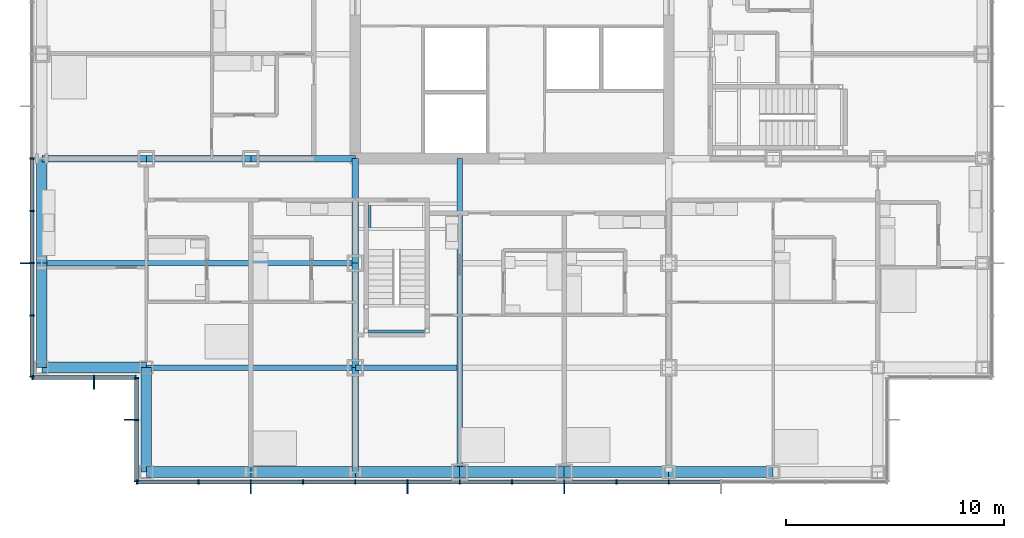
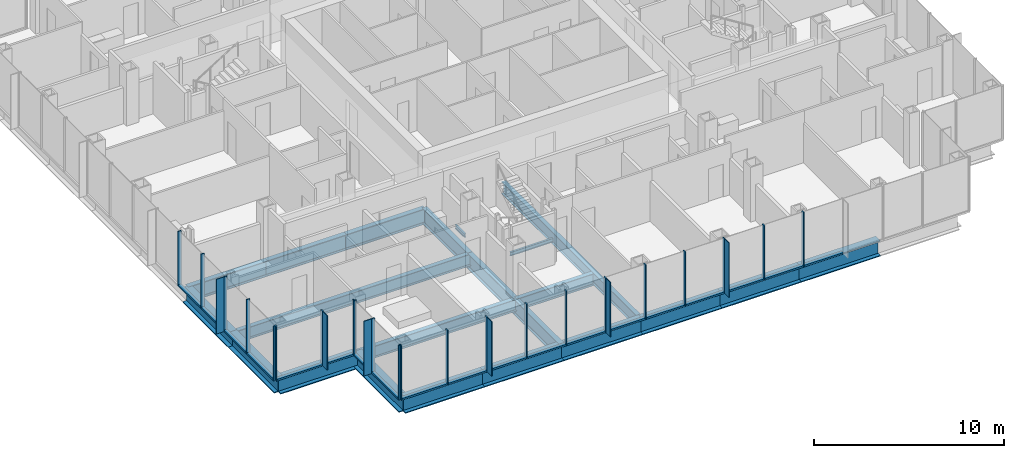
# One storey, part 6 of 21: 47 members, 22 beams, 4 elements without a shape of their own.
"""IFC4 building model written with IfcOpenShell, lengths in metres."""

from ifc_helpers import new_model, si_unit, direction, frame, origin, origin_2d, place, context, subcontext, project, spatial, rectangle, i_section, extrude, material, material_profile, profile_set, type_object, element, aggregate, save


model = new_model("IFC4")

# Units and contexts
model_context = context("Model", 3, precision=1e-05, world=origin(), true_north=direction((0.0, 1.0)))
body_context = subcontext(model_context, "Body", "Model", "MODEL_VIEW")
ifc_project = project(units=[si_unit("LENGTHUNIT", "METRE"), si_unit("AREAUNIT", "SQUARE_METRE"), si_unit("VOLUMEUNIT", "CUBIC_METRE"), si_unit("PLANEANGLEUNIT", "RADIAN"), si_unit("MASSUNIT", "GRAM", prefix="KILO")], contexts=[model_context])

# Site, building, storey
site_placement = place(None, origin())
site = spatial("IfcSite", under=ifc_project, at=site_placement, CompositionType="ELEMENT")
building_placement = place(site_placement, origin())
building = spatial("IfcBuilding", under=site, at=building_placement, Name="Kvirike Care Tower", CompositionType="ELEMENT")
storey_placement = place(building_placement, frame((0.0, 0.0, 44.5)))
storey = spatial("IfcBuildingStorey", under=building, at=storey_placement, Name="L11", CompositionType="ELEMENT", Elevation=44.5)

# Curtain wall, member
ifc_material_1 = material(Name="Anodised aluminium stick system", Category="aluminium")
curtain_wall_type = type_object("IfcCurtainWallType", Name="CW-A STICK CURTAIN WALL", PredefinedType="NOTDEFINED", material=ifc_material_1)
curtain_wall_1_placement = place(storey_placement, origin())
curtain_wall_1 = element("IfcCurtainWall", 1, at=curtain_wall_1_placement, inside=storey, type_object=curtain_wall_type, Name="Curtain wall L11 face 1", PredefinedType="NOTDEFINED")
ifc_material_2 = material(Name="Bronze anodised aluminium fin", Category="aluminium")
ifc_material_profile_1 = material_profile(ifc_material_2, rectangle(XDim=0.050048828125, YDim=0.449951171875, at=origin_2d()), Name="BRONZE FIN 450")
ifc_profile_set_1 = profile_set([ifc_material_profile_1], Name="Bronze anodised aluminium fin")
member_type_1 = type_object("IfcMemberType", Name="BRONZE FIN 450", PredefinedType="USERDEFINED", material=ifc_profile_set_1)
member_1_placement = place(storey_placement, frame((-0.77490234375, 24.0, 0.0), z_axis=(0.0, 0.0, 1.0), x_axis=(0.0, -1.0, 0.0)))
member_1 = element("IfcMember", 2, at=member_1_placement, type_object=member_type_1, Name="Bronze fin L11 face 1.13", ObjectType="FIN", PredefinedType="USERDEFINED", context=body_context, shape_type="SweptSolid", body=[
    extrude(rectangle(XDim=0.050048828125, YDim=0.449951171875, at=origin_2d()), origin(), (0.0, 0.0, 1.0), 3.5),
])

curtain_wall_2_placement = place(storey_placement, origin())
curtain_wall_2 = element("IfcCurtainWall", 3, at=curtain_wall_2_placement, inside=storey, type_object=curtain_wall_type, Name="Curtain wall L11 face 2", PredefinedType="NOTDEFINED")
member_2_placement = place(storey_placement, frame((2.39990234375, 18.425048828125, 0.0), z_axis=(0.0, 0.0, 1.0), x_axis=(1.0, 0.0, 0.0)))
member_2 = element("IfcMember", 4, at=member_2_placement, type_object=member_type_1, Name="Bronze fin L11 face 2.2", ObjectType="FIN", PredefinedType="USERDEFINED", context=body_context, shape_type="SweptSolid", body=[
    extrude(rectangle(XDim=0.050048828125, YDim=0.449951171875, at=origin_2d()), origin(), (0.0, 0.0, 1.0), 3.5),
])

curtain_wall_3_placement = place(storey_placement, origin())
curtain_wall_3 = element("IfcCurtainWall", 5, at=curtain_wall_3_placement, inside=storey, type_object=curtain_wall_type, Name="Curtain wall L11 face 3", PredefinedType="NOTDEFINED")
member_3_placement = place(storey_placement, frame((4.02490234375, 16.800048828125, 0.0), z_axis=(0.0, 0.0, 1.0), x_axis=(0.0, -1.0, 0.0)))
member_3 = element("IfcMember", 6, at=member_3_placement, type_object=member_type_1, Name="Bronze fin L11 face 3.2", ObjectType="FIN", PredefinedType="USERDEFINED", context=body_context, shape_type="SweptSolid", body=[
    extrude(rectangle(XDim=0.050048828125, YDim=0.449951171875, at=origin_2d()), origin(), (0.0, 0.0, 1.0), 3.5),
])

# Curtain wall, members
curtain_wall_4_placement = place(storey_placement, origin())
curtain_wall_4 = element("IfcCurtainWall", 7, at=curtain_wall_4_placement, inside=storey, type_object=curtain_wall_type, Name="Curtain wall L11 face 4", PredefinedType="NOTDEFINED")
member_4_placement = place(storey_placement, frame((9.60009765625, 13.625, 0.0), z_axis=(0.0, 0.0, 1.0), x_axis=(1.0, 0.0, 0.0)))
member_4 = element("IfcMember", 8, at=member_4_placement, type_object=member_type_1, Name="Bronze fin L11 face 4.3", ObjectType="FIN", PredefinedType="USERDEFINED", context=body_context, shape_type="SweptSolid", body=[
    extrude(rectangle(XDim=0.050048828125, YDim=0.449951171875, at=origin_2d()), origin(), (0.0, 0.0, 1.0), 3.5),
])
member_5_placement = place(storey_placement, frame((16.800048828125, 13.625, 0.0), z_axis=(0.0, 0.0, 1.0), x_axis=(1.0, 0.0, 0.0)))
member_5 = element("IfcMember", 9, at=member_5_placement, type_object=member_type_1, Name="Bronze fin L11 face 4.6", ObjectType="FIN", PredefinedType="USERDEFINED", context=body_context, shape_type="SweptSolid", body=[
    extrude(rectangle(XDim=0.050048828125, YDim=0.449951171875, at=origin_2d()), origin(), (0.0, 0.0, 1.0), 3.5),
])
member_6_placement = place(storey_placement, frame((24.0, 13.625, 0.0), z_axis=(0.0, 0.0, 1.0), x_axis=(1.0, 0.0, 0.0)))
member_6 = element("IfcMember", 10, at=member_6_placement, type_object=member_type_1, Name="Bronze fin L11 face 4.9", ObjectType="FIN", PredefinedType="USERDEFINED", context=body_context, shape_type="SweptSolid", body=[
    extrude(rectangle(XDim=0.050048828125, YDim=0.449951171875, at=origin_2d()), origin(), (0.0, 0.0, 1.0), 3.5),
])

# Member
ifc_material_3 = material(Name="Bronze anodised aluminium mullion", Category="aluminium")
ifc_material_profile_2 = material_profile(ifc_material_3, rectangle(XDim=0.06494140625, YDim=0.199951171875, at=origin_2d()), Name="CW-A MULLION 65x200")
ifc_profile_set_2 = profile_set([ifc_material_profile_2], Name="Bronze anodised aluminium mullion")
member_type_2 = type_object("IfcMemberType", Name="CW-A MULLION 65x200", PredefinedType="MULLION", material=ifc_profile_set_2)
member_7_placement = place(storey_placement, frame((-0.449951171875, 28.800048828125, 0.0), z_axis=(0.0, 0.0, 1.0), x_axis=(0.0, -1.0, 0.0)))
member_7 = element("IfcMember", 11, at=member_7_placement, type_object=member_type_2, Name="CW-A mullion L11 face 1.11", PredefinedType="MULLION", context=body_context, shape_type="SweptSolid", body=[
    extrude(rectangle(XDim=0.06494140625, YDim=0.199951171875, at=origin_2d()), origin(), (0.0, 0.0, 1.0), 3.5),
])

member_8_placement = place(storey_placement, frame((-0.449951171875, 26.39990234375, 0.0), z_axis=(0.0, 0.0, 1.0), x_axis=(0.0, -1.0, 0.0)))
member_8 = element("IfcMember", 12, at=member_8_placement, type_object=member_type_2, Name="CW-A mullion L11 face 1.12", PredefinedType="MULLION", context=body_context, shape_type="SweptSolid", body=[
    extrude(rectangle(XDim=0.06494140625, YDim=0.199951171875, at=origin_2d()), origin(), (0.0, 0.0, 1.0), 3.5),
])

member_9_placement = place(storey_placement, frame((-0.449951171875, 24.0, 0.0), z_axis=(0.0, 0.0, 1.0), x_axis=(0.0, -1.0, 0.0)))
member_9 = element("IfcMember", 13, at=member_9_placement, type_object=member_type_2, Name="CW-A mullion L11 face 1.13", PredefinedType="MULLION", context=body_context, shape_type="SweptSolid", body=[
    extrude(rectangle(XDim=0.06494140625, YDim=0.199951171875, at=origin_2d()), origin(), (0.0, 0.0, 1.0), 3.5),
])

member_10_placement = place(storey_placement, frame((-0.449951171875, 21.60009765625, 0.0), z_axis=(0.0, 0.0, 1.0), x_axis=(0.0, -1.0, 0.0)))
member_10 = element("IfcMember", 14, at=member_10_placement, type_object=member_type_2, Name="CW-A mullion L11 face 1.14", PredefinedType="MULLION", context=body_context, shape_type="SweptSolid", body=[
    extrude(rectangle(XDim=0.06494140625, YDim=0.199951171875, at=origin_2d()), origin(), (0.0, 0.0, 1.0), 3.5),
])

member_11_placement = place(storey_placement, frame((-0.449951171875, 18.782470703125, 0.0), z_axis=(0.0, 0.0, 1.0), x_axis=(0.0, -1.0, 0.0)))
member_11 = element("IfcMember", 15, at=member_11_placement, type_object=member_type_2, Name="CW-A mullion L11 face 1.15", PredefinedType="MULLION", context=body_context, shape_type="SweptSolid", body=[
    extrude(rectangle(XDim=0.06494140625, YDim=0.199951171875, at=origin_2d()), origin(), (0.0, 0.0, 1.0), 3.5),
])

member_12_placement = place(storey_placement, frame((-0.41748046875, 18.75, 0.0), z_axis=(0.0, 0.0, 1.0), x_axis=(1.0, 0.0, 0.0)))
member_12 = element("IfcMember", 16, at=member_12_placement, type_object=member_type_2, Name="CW-A mullion L11 face 2.1", PredefinedType="MULLION", context=body_context, shape_type="SweptSolid", body=[
    extrude(rectangle(XDim=0.06494140625, YDim=0.199951171875, at=origin_2d()), origin(), (0.0, 0.0, 1.0), 3.5),
])

member_13_placement = place(storey_placement, frame((2.39990234375, 18.75, 0.0), z_axis=(0.0, 0.0, 1.0), x_axis=(1.0, 0.0, 0.0)))
member_13 = element("IfcMember", 17, at=member_13_placement, type_object=member_type_2, Name="CW-A mullion L11 face 2.2", PredefinedType="MULLION", context=body_context, shape_type="SweptSolid", body=[
    extrude(rectangle(XDim=0.06494140625, YDim=0.199951171875, at=origin_2d()), origin(), (0.0, 0.0, 1.0), 3.5),
])

member_14_placement = place(storey_placement, frame((4.3173828125, 18.75, 0.0), z_axis=(0.0, 0.0, 1.0), x_axis=(1.0, 0.0, 0.0)))
member_14 = element("IfcMember", 18, at=member_14_placement, type_object=member_type_2, Name="CW-A mullion L11 face 2.3", PredefinedType="MULLION", context=body_context, shape_type="SweptSolid", body=[
    extrude(rectangle(XDim=0.06494140625, YDim=0.199951171875, at=origin_2d()), origin(), (0.0, 0.0, 1.0), 3.5),
])

member_15_placement = place(storey_placement, frame((4.35009765625, 18.717529296875, 0.0), z_axis=(0.0, 0.0, 1.0), x_axis=(0.0, -1.0, 0.0)))
member_15 = element("IfcMember", 19, at=member_15_placement, type_object=member_type_2, Name="CW-A mullion L11 face 3.1", PredefinedType="MULLION", context=body_context, shape_type="SweptSolid", body=[
    extrude(rectangle(XDim=0.06494140625, YDim=0.199951171875, at=origin_2d()), origin(), (0.0, 0.0, 1.0), 3.5),
])

member_16_placement = place(storey_placement, frame((4.35009765625, 16.800048828125, 0.0), z_axis=(0.0, 0.0, 1.0), x_axis=(0.0, -1.0, 0.0)))
member_16 = element("IfcMember", 20, at=member_16_placement, type_object=member_type_2, Name="CW-A mullion L11 face 3.2", PredefinedType="MULLION", context=body_context, shape_type="SweptSolid", body=[
    extrude(rectangle(XDim=0.06494140625, YDim=0.199951171875, at=origin_2d()), origin(), (0.0, 0.0, 1.0), 3.5),
])

member_17_placement = place(storey_placement, frame((4.35009765625, 13.982421875, 0.0), z_axis=(0.0, 0.0, 1.0), x_axis=(0.0, -1.0, 0.0)))
member_17 = element("IfcMember", 21, at=member_17_placement, type_object=member_type_2, Name="CW-A mullion L11 face 3.3", PredefinedType="MULLION", context=body_context, shape_type="SweptSolid", body=[
    extrude(rectangle(XDim=0.06494140625, YDim=0.199951171875, at=origin_2d()), origin(), (0.0, 0.0, 1.0), 3.5),
])

member_18_placement = place(storey_placement, frame((4.382568359375, 13.949951171875, 0.0), z_axis=(0.0, 0.0, 1.0), x_axis=(1.0, 0.0, 0.0)))
member_18 = element("IfcMember", 22, at=member_18_placement, type_object=member_type_2, Name="CW-A mullion L11 face 4.1", PredefinedType="MULLION", context=body_context, shape_type="SweptSolid", body=[
    extrude(rectangle(XDim=0.06494140625, YDim=0.199951171875, at=origin_2d()), origin(), (0.0, 0.0, 1.0), 3.5),
])

member_19_placement = place(storey_placement, frame((7.199951171875, 13.949951171875, 0.0), z_axis=(0.0, 0.0, 1.0), x_axis=(1.0, 0.0, 0.0)))
member_19 = element("IfcMember", 23, at=member_19_placement, type_object=member_type_2, Name="CW-A mullion L11 face 4.2", PredefinedType="MULLION", context=body_context, shape_type="SweptSolid", body=[
    extrude(rectangle(XDim=0.06494140625, YDim=0.199951171875, at=origin_2d()), origin(), (0.0, 0.0, 1.0), 3.5),
])

member_20_placement = place(storey_placement, frame((9.60009765625, 13.949951171875, 0.0), z_axis=(0.0, 0.0, 1.0), x_axis=(1.0, 0.0, 0.0)))
member_20 = element("IfcMember", 24, at=member_20_placement, type_object=member_type_2, Name="CW-A mullion L11 face 4.3", PredefinedType="MULLION", context=body_context, shape_type="SweptSolid", body=[
    extrude(rectangle(XDim=0.06494140625, YDim=0.199951171875, at=origin_2d()), origin(), (0.0, 0.0, 1.0), 3.5),
])

member_21_placement = place(storey_placement, frame((12.0, 13.949951171875, 0.0), z_axis=(0.0, 0.0, 1.0), x_axis=(1.0, 0.0, 0.0)))
member_21 = element("IfcMember", 25, at=member_21_placement, type_object=member_type_2, Name="CW-A mullion L11 face 4.4", PredefinedType="MULLION", context=body_context, shape_type="SweptSolid", body=[
    extrude(rectangle(XDim=0.06494140625, YDim=0.199951171875, at=origin_2d()), origin(), (0.0, 0.0, 1.0), 3.5),
])

member_22_placement = place(storey_placement, frame((14.39990234375, 13.949951171875, 0.0), z_axis=(0.0, 0.0, 1.0), x_axis=(1.0, 0.0, 0.0)))
member_22 = element("IfcMember", 26, at=member_22_placement, type_object=member_type_2, Name="CW-A mullion L11 face 4.5", PredefinedType="MULLION", context=body_context, shape_type="SweptSolid", body=[
    extrude(rectangle(XDim=0.06494140625, YDim=0.199951171875, at=origin_2d()), origin(), (0.0, 0.0, 1.0), 3.5),
])

member_23_placement = place(storey_placement, frame((16.800048828125, 13.949951171875, 0.0), z_axis=(0.0, 0.0, 1.0), x_axis=(1.0, 0.0, 0.0)))
member_23 = element("IfcMember", 27, at=member_23_placement, type_object=member_type_2, Name="CW-A mullion L11 face 4.6", PredefinedType="MULLION", context=body_context, shape_type="SweptSolid", body=[
    extrude(rectangle(XDim=0.06494140625, YDim=0.199951171875, at=origin_2d()), origin(), (0.0, 0.0, 1.0), 3.5),
])

member_24_placement = place(storey_placement, frame((19.199951171875, 13.949951171875, 0.0), z_axis=(0.0, 0.0, 1.0), x_axis=(1.0, 0.0, 0.0)))
member_24 = element("IfcMember", 28, at=member_24_placement, type_object=member_type_2, Name="CW-A mullion L11 face 4.7", PredefinedType="MULLION", context=body_context, shape_type="SweptSolid", body=[
    extrude(rectangle(XDim=0.06494140625, YDim=0.199951171875, at=origin_2d()), origin(), (0.0, 0.0, 1.0), 3.5),
])

member_25_placement = place(storey_placement, frame((21.60009765625, 13.949951171875, 0.0), z_axis=(0.0, 0.0, 1.0), x_axis=(1.0, 0.0, 0.0)))
member_25 = element("IfcMember", 29, at=member_25_placement, type_object=member_type_2, Name="CW-A mullion L11 face 4.8", PredefinedType="MULLION", context=body_context, shape_type="SweptSolid", body=[
    extrude(rectangle(XDim=0.06494140625, YDim=0.199951171875, at=origin_2d()), origin(), (0.0, 0.0, 1.0), 3.5),
])

member_26_placement = place(storey_placement, frame((24.0, 13.949951171875, 0.0), z_axis=(0.0, 0.0, 1.0), x_axis=(1.0, 0.0, 0.0)))
member_26 = element("IfcMember", 30, at=member_26_placement, type_object=member_type_2, Name="CW-A mullion L11 face 4.9", PredefinedType="MULLION", context=body_context, shape_type="SweptSolid", body=[
    extrude(rectangle(XDim=0.06494140625, YDim=0.199951171875, at=origin_2d()), origin(), (0.0, 0.0, 1.0), 3.5),
])

member_27_placement = place(storey_placement, frame((26.39990234375, 13.949951171875, 0.0), z_axis=(0.0, 0.0, 1.0), x_axis=(1.0, 0.0, 0.0)))
member_27 = element("IfcMember", 31, at=member_27_placement, type_object=member_type_2, Name="CW-A mullion L11 face 4.10", PredefinedType="MULLION", context=body_context, shape_type="SweptSolid", body=[
    extrude(rectangle(XDim=0.06494140625, YDim=0.199951171875, at=origin_2d()), origin(), (0.0, 0.0, 1.0), 3.5),
])

member_28_placement = place(storey_placement, frame((28.800048828125, 13.949951171875, 0.0), z_axis=(0.0, 0.0, 1.0), x_axis=(1.0, 0.0, 0.0)))
member_28 = element("IfcMember", 32, at=member_28_placement, type_object=member_type_2, Name="CW-A mullion L11 face 4.11", PredefinedType="MULLION", context=body_context, shape_type="SweptSolid", body=[
    extrude(rectangle(XDim=0.06494140625, YDim=0.199951171875, at=origin_2d()), origin(), (0.0, 0.0, 1.0), 3.5),
])

ifc_material_4 = material(Name="Bronze anodised aluminium transom", Category="aluminium")
ifc_material_profile_3 = material_profile(ifc_material_4, rectangle(XDim=0.199951171875, YDim=0.10009765625, at=origin_2d()), Name="CW-A TRANSOM 200x100")
ifc_profile_set_3 = profile_set([ifc_material_profile_3], Name="Bronze anodised aluminium transom")
member_type_3 = type_object("IfcMemberType", Name="CW-A TRANSOM 200x100", PredefinedType="USERDEFINED", material=ifc_profile_set_3)
member_29_placement = place(storey_placement, frame((-0.449951171875, 28.767578125, 0.050048828125), z_axis=(0.0, -1.0, 0.0), x_axis=(1.0, 0.0, 0.0)))
member_29 = element("IfcMember", 33, at=member_29_placement, type_object=member_type_3, Name="CW-A sill transom L11 face 1.11", ObjectType="TRANSOM", PredefinedType="USERDEFINED", context=body_context, shape_type="SweptSolid", body=[
    extrude(rectangle(XDim=0.199951171875, YDim=0.10009765625, at=origin_2d()), origin(), (0.0, 0.0, 1.0), 2.3349609375),
])

member_30_placement = place(storey_placement, frame((-0.449951171875, 26.367431640625, 0.050048828125), z_axis=(0.0, -1.0, 0.0), x_axis=(1.0, 0.0, 0.0)))
member_30 = element("IfcMember", 34, at=member_30_placement, type_object=member_type_3, Name="CW-A sill transom L11 face 1.12", ObjectType="TRANSOM", PredefinedType="USERDEFINED", context=body_context, shape_type="SweptSolid", body=[
    extrude(rectangle(XDim=0.199951171875, YDim=0.10009765625, at=origin_2d()), origin(), (0.0, 0.0, 1.0), 2.3349609375),
])

member_31_placement = place(storey_placement, frame((-0.449951171875, 23.967529296875, 0.050048828125), z_axis=(0.0, -1.0, 0.0), x_axis=(1.0, 0.0, 0.0)))
member_31 = element("IfcMember", 35, at=member_31_placement, type_object=member_type_3, Name="CW-A sill transom L11 face 1.13", ObjectType="TRANSOM", PredefinedType="USERDEFINED", context=body_context, shape_type="SweptSolid", body=[
    extrude(rectangle(XDim=0.199951171875, YDim=0.10009765625, at=origin_2d()), origin(), (0.0, 0.0, 1.0), 2.3349609375),
])

member_32_placement = place(storey_placement, frame((-0.449951171875, 21.5673828125, 0.050048828125), z_axis=(0.0, -1.0, 0.0), x_axis=(1.0, 0.0, 0.0)))
member_32 = element("IfcMember", 36, at=member_32_placement, type_object=member_type_3, Name="CW-A sill transom L11 face 1.14", ObjectType="TRANSOM", PredefinedType="USERDEFINED", context=body_context, shape_type="SweptSolid", body=[
    extrude(rectangle(XDim=0.199951171875, YDim=0.10009765625, at=origin_2d()), origin(), (0.0, 0.0, 1.0), 2.75244140625),
])

aggregate(curtain_wall_1, [member_7, member_8, member_9, member_1, member_10, member_11, member_29, member_30, member_31, member_32])

member_33_placement = place(storey_placement, frame((-0.385009765625, 18.75, 0.050048828125), z_axis=(1.0, 0.0, 0.0), x_axis=(0.0, 1.0, 0.0)))
member_33 = element("IfcMember", 37, at=member_33_placement, type_object=member_type_3, Name="CW-A sill transom L11 face 2.1", ObjectType="TRANSOM", PredefinedType="USERDEFINED", context=body_context, shape_type="SweptSolid", body=[
    extrude(rectangle(XDim=0.199951171875, YDim=0.10009765625, at=origin_2d()), origin(), (0.0, 0.0, 1.0), 2.75244140625),
])

member_34_placement = place(storey_placement, frame((2.4326171875, 18.75, 0.050048828125), z_axis=(1.0, 0.0, 0.0), x_axis=(0.0, 1.0, 0.0)))
member_34 = element("IfcMember", 38, at=member_34_placement, type_object=member_type_3, Name="CW-A sill transom L11 face 2.2", ObjectType="TRANSOM", PredefinedType="USERDEFINED", context=body_context, shape_type="SweptSolid", body=[
    extrude(rectangle(XDim=0.199951171875, YDim=0.10009765625, at=origin_2d()), origin(), (0.0, 0.0, 1.0), 1.852294921875),
])

aggregate(curtain_wall_2, [member_12, member_13, member_2, member_14, member_33, member_34])

member_35_placement = place(storey_placement, frame((4.35009765625, 18.68505859375, 0.050048828125), z_axis=(0.0, -1.0, 0.0), x_axis=(1.0, 0.0, 0.0)))
member_35 = element("IfcMember", 39, at=member_35_placement, type_object=member_type_3, Name="CW-A sill transom L11 face 3.1", ObjectType="TRANSOM", PredefinedType="USERDEFINED", context=body_context, shape_type="SweptSolid", body=[
    extrude(rectangle(XDim=0.199951171875, YDim=0.10009765625, at=origin_2d()), origin(), (0.0, 0.0, 1.0), 1.8525390625),
])

member_36_placement = place(storey_placement, frame((4.35009765625, 16.767578125, 0.050048828125), z_axis=(0.0, -1.0, 0.0), x_axis=(1.0, 0.0, 0.0)))
member_36 = element("IfcMember", 40, at=member_36_placement, type_object=member_type_3, Name="CW-A sill transom L11 face 3.2", ObjectType="TRANSOM", PredefinedType="USERDEFINED", context=body_context, shape_type="SweptSolid", body=[
    extrude(rectangle(XDim=0.199951171875, YDim=0.10009765625, at=origin_2d()), origin(), (0.0, 0.0, 1.0), 2.752685546875),
])

aggregate(curtain_wall_3, [member_15, member_16, member_3, member_17, member_35, member_36])

member_37_placement = place(storey_placement, frame((4.4150390625, 13.949951171875, 0.050048828125), z_axis=(1.0, 0.0, 0.0), x_axis=(0.0, 1.0, 0.0)))
member_37 = element("IfcMember", 41, at=member_37_placement, type_object=member_type_3, Name="CW-A sill transom L11 face 4.1", ObjectType="TRANSOM", PredefinedType="USERDEFINED", context=body_context, shape_type="SweptSolid", body=[
    extrude(rectangle(XDim=0.199951171875, YDim=0.10009765625, at=origin_2d()), origin(), (0.0, 0.0, 1.0), 2.75244140625),
])

member_38_placement = place(storey_placement, frame((7.232421875, 13.949951171875, 0.050048828125), z_axis=(1.0, 0.0, 0.0), x_axis=(0.0, 1.0, 0.0)))
member_38 = element("IfcMember", 42, at=member_38_placement, type_object=member_type_3, Name="CW-A sill transom L11 face 4.2", ObjectType="TRANSOM", PredefinedType="USERDEFINED", context=body_context, shape_type="SweptSolid", body=[
    extrude(rectangle(XDim=0.199951171875, YDim=0.10009765625, at=origin_2d()), origin(), (0.0, 0.0, 1.0), 2.3349609375),
])

member_39_placement = place(storey_placement, frame((9.632568359375, 13.949951171875, 0.050048828125), z_axis=(1.0, 0.0, 0.0), x_axis=(0.0, 1.0, 0.0)))
member_39 = element("IfcMember", 43, at=member_39_placement, type_object=member_type_3, Name="CW-A sill transom L11 face 4.3", ObjectType="TRANSOM", PredefinedType="USERDEFINED", context=body_context, shape_type="SweptSolid", body=[
    extrude(rectangle(XDim=0.199951171875, YDim=0.10009765625, at=origin_2d()), origin(), (0.0, 0.0, 1.0), 2.3349609375),
])

member_40_placement = place(storey_placement, frame((12.032470703125, 13.949951171875, 0.050048828125), z_axis=(1.0, 0.0, 0.0), x_axis=(0.0, 1.0, 0.0)))
member_40 = element("IfcMember", 44, at=member_40_placement, type_object=member_type_3, Name="CW-A sill transom L11 face 4.4", ObjectType="TRANSOM", PredefinedType="USERDEFINED", context=body_context, shape_type="SweptSolid", body=[
    extrude(rectangle(XDim=0.199951171875, YDim=0.10009765625, at=origin_2d()), origin(), (0.0, 0.0, 1.0), 2.3349609375),
])

member_41_placement = place(storey_placement, frame((14.4326171875, 13.949951171875, 0.050048828125), z_axis=(1.0, 0.0, 0.0), x_axis=(0.0, 1.0, 0.0)))
member_41 = element("IfcMember", 45, at=member_41_placement, type_object=member_type_3, Name="CW-A sill transom L11 face 4.5", ObjectType="TRANSOM", PredefinedType="USERDEFINED", context=body_context, shape_type="SweptSolid", body=[
    extrude(rectangle(XDim=0.199951171875, YDim=0.10009765625, at=origin_2d()), origin(), (0.0, 0.0, 1.0), 2.3349609375),
])

member_42_placement = place(storey_placement, frame((16.83251953125, 13.949951171875, 0.050048828125), z_axis=(1.0, 0.0, 0.0), x_axis=(0.0, 1.0, 0.0)))
member_42 = element("IfcMember", 46, at=member_42_placement, type_object=member_type_3, Name="CW-A sill transom L11 face 4.6", ObjectType="TRANSOM", PredefinedType="USERDEFINED", context=body_context, shape_type="SweptSolid", body=[
    extrude(rectangle(XDim=0.199951171875, YDim=0.10009765625, at=origin_2d()), origin(), (0.0, 0.0, 1.0), 2.3349609375),
])

member_43_placement = place(storey_placement, frame((19.232421875, 13.949951171875, 0.050048828125), z_axis=(1.0, 0.0, 0.0), x_axis=(0.0, 1.0, 0.0)))
member_43 = element("IfcMember", 47, at=member_43_placement, type_object=member_type_3, Name="CW-A sill transom L11 face 4.7", ObjectType="TRANSOM", PredefinedType="USERDEFINED", context=body_context, shape_type="SweptSolid", body=[
    extrude(rectangle(XDim=0.199951171875, YDim=0.10009765625, at=origin_2d()), origin(), (0.0, 0.0, 1.0), 2.3349609375),
])

member_44_placement = place(storey_placement, frame((21.632568359375, 13.949951171875, 0.050048828125), z_axis=(1.0, 0.0, 0.0), x_axis=(0.0, 1.0, 0.0)))
member_44 = element("IfcMember", 48, at=member_44_placement, type_object=member_type_3, Name="CW-A sill transom L11 face 4.8", ObjectType="TRANSOM", PredefinedType="USERDEFINED", context=body_context, shape_type="SweptSolid", body=[
    extrude(rectangle(XDim=0.199951171875, YDim=0.10009765625, at=origin_2d()), origin(), (0.0, 0.0, 1.0), 2.3349609375),
])

member_45_placement = place(storey_placement, frame((24.032470703125, 13.949951171875, 0.050048828125), z_axis=(1.0, 0.0, 0.0), x_axis=(0.0, 1.0, 0.0)))
member_45 = element("IfcMember", 49, at=member_45_placement, type_object=member_type_3, Name="CW-A sill transom L11 face 4.9", ObjectType="TRANSOM", PredefinedType="USERDEFINED", context=body_context, shape_type="SweptSolid", body=[
    extrude(rectangle(XDim=0.199951171875, YDim=0.10009765625, at=origin_2d()), origin(), (0.0, 0.0, 1.0), 2.3349609375),
])

member_46_placement = place(storey_placement, frame((26.4326171875, 13.949951171875, 0.050048828125), z_axis=(1.0, 0.0, 0.0), x_axis=(0.0, 1.0, 0.0)))
member_46 = element("IfcMember", 50, at=member_46_placement, type_object=member_type_3, Name="CW-A sill transom L11 face 4.10", ObjectType="TRANSOM", PredefinedType="USERDEFINED", context=body_context, shape_type="SweptSolid", body=[
    extrude(rectangle(XDim=0.199951171875, YDim=0.10009765625, at=origin_2d()), origin(), (0.0, 0.0, 1.0), 2.3349609375),
])

member_47_placement = place(storey_placement, frame((28.83251953125, 13.949951171875, 0.050048828125), z_axis=(1.0, 0.0, 0.0), x_axis=(0.0, 1.0, 0.0)))
member_47 = element("IfcMember", 51, at=member_47_placement, type_object=member_type_3, Name="CW-A sill transom L11 face 4.11", ObjectType="TRANSOM", PredefinedType="USERDEFINED", context=body_context, shape_type="SweptSolid", body=[
    extrude(rectangle(XDim=0.199951171875, YDim=0.10009765625, at=origin_2d()), origin(), (0.0, 0.0, 1.0), 2.3349609375),
])

aggregate(curtain_wall_4, [member_18, member_19, member_20, member_4, member_21, member_22, member_23, member_5, member_24, member_25, member_26, member_6, member_27, member_28, member_37, member_38, member_39, member_40, member_41, member_42, member_43, member_44, member_45, member_46, member_47])

# Beams
ifc_material_5 = material(Name="Steel S355", Category="steel")
ifc_material_profile_4 = material_profile(ifc_material_5, i_section(OverallWidth=0.26806640625, OverallDepth=0.77001953125, WebThickness=0.015625, FlangeThickness=0.025390625, FilletRadius=0.01708984375, at=origin_2d()), Name="IPE 750x196")
ifc_profile_set_4 = profile_set([ifc_material_profile_4], Name="Steel S355")
beam_type_1 = type_object("IfcBeamType", Name="FLOOR BEAM IPE 750x196", PredefinedType="BEAM", material=ifc_profile_set_4)
beam_1_placement = place(storey_placement, frame((4.800048828125, 19.199951171875, -0.554931640625), z_axis=(1.0, 0.0, 0.0), x_axis=(0.0, 1.0, 0.0)))
element("IfcBeam", 52, at=beam_1_placement, inside=storey, type_object=beam_type_1, Name="Floor Beam E4-E6 L11", PredefinedType="BEAM", context=body_context, shape_type="SweptSolid", body=[
    extrude(i_section(OverallWidth=0.26806640625, OverallDepth=0.77001953125, WebThickness=0.015625, FlangeThickness=0.025390625, FilletRadius=0.01708984375, at=origin_2d()), origin(), (0.0, 0.0, 1.0), 9.599853515625),
])
beam_2_placement = place(storey_placement, frame((14.39990234375, 19.199951171875, -0.554931640625), z_axis=(1.0, 0.0, 0.0), x_axis=(0.0, 1.0, 0.0)))
element("IfcBeam", 53, at=beam_2_placement, inside=storey, type_object=beam_type_1, Name="Floor Beam E6-E7 L11", PredefinedType="BEAM", context=body_context, shape_type="SweptSolid", body=[
    extrude(i_section(OverallWidth=0.26806640625, OverallDepth=0.77001953125, WebThickness=0.015625, FlangeThickness=0.025390625, FilletRadius=0.01708984375, at=origin_2d()), origin(), (0.0, 0.0, 1.0), 4.666015625),
])
beam_3_placement = place(storey_placement, frame((0.0, 24.0, -0.554931640625), z_axis=(1.0, 0.0, 0.0), x_axis=(0.0, 1.0, 0.0)))
element("IfcBeam", 54, at=beam_3_placement, inside=storey, type_object=beam_type_1, Name="Floor Beam F3-F6 L11", PredefinedType="BEAM", context=body_context, shape_type="SweptSolid", body=[
    extrude(i_section(OverallWidth=0.26806640625, OverallDepth=0.77001953125, WebThickness=0.015625, FlangeThickness=0.025390625, FilletRadius=0.01708984375, at=origin_2d()), origin(), (0.0, 0.0, 1.0), 14.39990234375),
])
beam_4_placement = place(storey_placement, frame((19.199951171875, 14.39990234375, -0.554931640625), z_axis=(0.0, 1.0, 0.0), x_axis=(-1.0, 0.0, 0.0)))
element("IfcBeam", 55, at=beam_4_placement, inside=storey, type_object=beam_type_1, Name="Floor Beam D7-G7 L11", PredefinedType="BEAM", context=body_context, shape_type="SweptSolid", body=[
    extrude(i_section(OverallWidth=0.26806640625, OverallDepth=0.77001953125, WebThickness=0.015625, FlangeThickness=0.025390625, FilletRadius=0.01708984375, at=origin_2d()), origin(), (0.0, 0.0, 1.0), 14.400146484375),
])
ifc_material_6 = material(Name="Steel S355", Category="steel")
ifc_material_profile_5 = material_profile(ifc_material_6, i_section(OverallWidth=0.300048828125, OverallDepth=1.0, WebThickness=0.01904296875, FlangeThickness=0.035888671875, FilletRadius=0.030029296875, at=origin_2d()), Name="HE 1000 B")
ifc_profile_set_5 = profile_set([ifc_material_profile_5], Name="Steel S355")
beam_type_2 = type_object("IfcBeamType", Name="FRAME BEAM HE 1000 B", PredefinedType="BEAM", material=ifc_profile_set_5)
for number, where, z_axis, x_axis, name in (
    (56, (0.0, 28.800048828125, -0.669921875), (1.0, 0.0, 0.0), (0.0, 1.0, 0.0), "Frame Beam G3-G4 L11"),
    (57, (4.800048828125, 28.800048828125, -0.669921875), (1.0, 0.0, 0.0), (0.0, 1.0, 0.0), "Frame Beam G4-G5 L11"),
):
    element("IfcBeam", number, at=place(storey_placement, frame(where, z_axis=z_axis, x_axis=x_axis)), inside=storey, type_object=beam_type_2, Name=name, PredefinedType="BEAM", context=body_context, shape_type="SweptSolid", body=[
        extrude(i_section(OverallWidth=0.300048828125, OverallDepth=1.0, WebThickness=0.01904296875, FlangeThickness=0.035888671875, FilletRadius=0.030029296875, at=origin_2d()), origin(), (0.0, 0.0, 1.0), 4.800048828125),
    ])
beam_5_placement = place(storey_placement, frame((9.60009765625, 28.800048828125, -0.669921875), z_axis=(1.0, 0.0, 0.0), x_axis=(0.0, 1.0, 0.0)))
element("IfcBeam", 58, at=beam_5_placement, inside=storey, type_object=beam_type_2, Name="Frame Beam G5-G6 L11", PredefinedType="BEAM", context=body_context, shape_type="SweptSolid", body=[
    extrude(i_section(OverallWidth=0.300048828125, OverallDepth=1.0, WebThickness=0.01904296875, FlangeThickness=0.035888671875, FilletRadius=0.030029296875, at=origin_2d()), origin(), (0.0, 0.0, 1.0), 4.7998046875),
])
for number, where, z_axis, x_axis, name in (
    (59, (14.39990234375, 14.39990234375, -0.669921875), (0.0, 1.0, 0.0), (-1.0, 0.0, 0.0), "Frame Beam D6-E6 L11"),
    (60, (14.39990234375, 19.199951171875, -0.669921875), (0.0, 1.0, 0.0), (-1.0, 0.0, 0.0), "Frame Beam E6-F6 L11"),
    (61, (14.39990234375, 24.0, -0.669921875), (0.0, 1.0, 0.0), (-1.0, 0.0, 0.0), "Frame Beam F6-G6 L11"),
):
    element("IfcBeam", number, at=place(storey_placement, frame(where, z_axis=z_axis, x_axis=x_axis)), inside=storey, type_object=beam_type_2, Name=name, PredefinedType="BEAM", context=body_context, shape_type="SweptSolid", body=[
        extrude(i_section(OverallWidth=0.300048828125, OverallDepth=1.0, WebThickness=0.01904296875, FlangeThickness=0.035888671875, FilletRadius=0.030029296875, at=origin_2d()), origin(), (0.0, 0.0, 1.0), 4.800048828125),
    ])
ifc_material_7 = material(Name="Steel S355", Category="steel")
ifc_material_profile_6 = material_profile(ifc_material_7, i_section(OverallWidth=0.5, OverallDepth=1.0, WebThickness=0.030029296875, FlangeThickness=0.06005859375, at=origin_2d()), Name="PG 1000x500x30x60")
ifc_profile_set_6 = profile_set([ifc_material_profile_6], Name="Steel S355")
beam_type_3 = type_object("IfcBeamType", Name="SPANDREL PG 1000x500x30x60", PredefinedType="SPANDREL", material=ifc_profile_set_6)
beam_6_placement = place(storey_placement, frame((4.800048828125, 14.39990234375, -0.669921875), z_axis=(1.0, 0.0, 0.0), x_axis=(0.0, 1.0, 0.0)))
element("IfcBeam", 62, at=beam_6_placement, inside=storey, type_object=beam_type_3, Name="Spandrel D4-D5 L11", PredefinedType="SPANDREL", context=body_context, shape_type="SweptSolid", body=[
    extrude(i_section(OverallWidth=0.5, OverallDepth=1.0, WebThickness=0.030029296875, FlangeThickness=0.06005859375, at=origin_2d()), origin(), (0.0, 0.0, 1.0), 4.800048828125),
])
beam_7_placement = place(storey_placement, frame((9.60009765625, 14.39990234375, -0.669921875), z_axis=(1.0, 0.0, 0.0), x_axis=(0.0, 1.0, 0.0)))
element("IfcBeam", 63, at=beam_7_placement, inside=storey, type_object=beam_type_3, Name="Spandrel D5-D6 L11", PredefinedType="SPANDREL", context=body_context, shape_type="SweptSolid", body=[
    extrude(i_section(OverallWidth=0.5, OverallDepth=1.0, WebThickness=0.030029296875, FlangeThickness=0.06005859375, at=origin_2d()), origin(), (0.0, 0.0, 1.0), 4.7998046875),
])
for number, where, z_axis, x_axis, name in (
    (64, (14.39990234375, 14.39990234375, -0.669921875), (1.0, 0.0, 0.0), (0.0, 1.0, 0.0), "Spandrel D6-D7 L11"),
    (65, (19.199951171875, 14.39990234375, -0.669921875), (1.0, 0.0, 0.0), (0.0, 1.0, 0.0), "Spandrel D7-D8 L11"),
    (66, (24.0, 14.39990234375, -0.669921875), (1.0, 0.0, 0.0), (0.0, 1.0, 0.0), "Spandrel D8-D9 L11"),
    (67, (28.800048828125, 14.39990234375, -0.669921875), (1.0, 0.0, 0.0), (0.0, 1.0, 0.0), "Spandrel D9-D10 L11"),
    (68, (0.0, 19.199951171875, -0.669921875), (1.0, 0.0, 0.0), (0.0, 1.0, 0.0), "Spandrel E3-E4 L11"),
    (69, (0.0, 19.199951171875, -0.669921875), (0.0, 1.0, 0.0), (-1.0, 0.0, 0.0), "Spandrel E3-F3 L11"),
    (70, (0.0, 24.0, -0.669921875), (0.0, 1.0, 0.0), (-1.0, 0.0, 0.0), "Spandrel F3-G3 L11"),
    (71, (4.800048828125, 14.39990234375, -0.669921875), (0.0, 1.0, 0.0), (-1.0, 0.0, 0.0), "Spandrel D4-E4 L11"),
):
    element("IfcBeam", number, at=place(storey_placement, frame(where, z_axis=z_axis, x_axis=x_axis)), inside=storey, type_object=beam_type_3, Name=name, PredefinedType="SPANDREL", context=body_context, shape_type="SweptSolid", body=[
        extrude(i_section(OverallWidth=0.5, OverallDepth=1.0, WebThickness=0.030029296875, FlangeThickness=0.06005859375, at=origin_2d()), origin(), (0.0, 0.0, 1.0), 4.800048828125),
    ])
ifc_material_8 = material(Name="Steel S355", Category="steel")
ifc_material_profile_7 = material_profile(ifc_material_8, i_section(OverallWidth=0.1201171875, OverallDepth=0.239990234375, WebThickness=0.006103515625, FlangeThickness=0.009765625, FilletRadius=0.014892578125, at=origin_2d()), Name="IPE 240")
ifc_profile_set_7 = profile_set([ifc_material_profile_7], Name="Steel S355")
beam_type_4 = type_object("IfcBeamType", Name="STAIR LANDING BEAM IPE 240", PredefinedType="BEAM", material=ifc_profile_set_7)
beam_8_placement = place(storey_placement, frame((15.0, 20.860107421875, 1.429931640625), z_axis=(1.0, 0.0, 0.0), x_axis=(0.0, 1.0, 0.0)))
element("IfcBeam", 72, at=beam_8_placement, inside=storey, type_object=beam_type_4, Name="Stair 5 landing beam back L11", PredefinedType="BEAM", context=body_context, shape_type="SweptSolid", body=[
    extrude(i_section(OverallWidth=0.1201171875, OverallDepth=0.239990234375, WebThickness=0.006103515625, FlangeThickness=0.009765625, FilletRadius=0.014892578125, at=origin_2d()), origin(), (0.0, 0.0, 1.0), 2.60009765625),
])
beam_9_placement = place(storey_placement, frame((15.06005859375, 25.64990234375, -0.320068359375), z_axis=(0.0, 1.0, 0.0), x_axis=(-1.0, 0.0, 0.0)))
element("IfcBeam", 73, at=beam_9_placement, inside=storey, type_object=beam_type_4, Name="Stair 5 landing edge beam 1 L11", PredefinedType="BEAM", context=body_context, shape_type="SweptSolid", body=[
    extrude(i_section(OverallWidth=0.1201171875, OverallDepth=0.239990234375, WebThickness=0.006103515625, FlangeThickness=0.009765625, FilletRadius=0.014892578125, at=origin_2d()), origin(), (0.0, 0.0, 1.0), 1.0),
])

save(model, "model.ifc")
